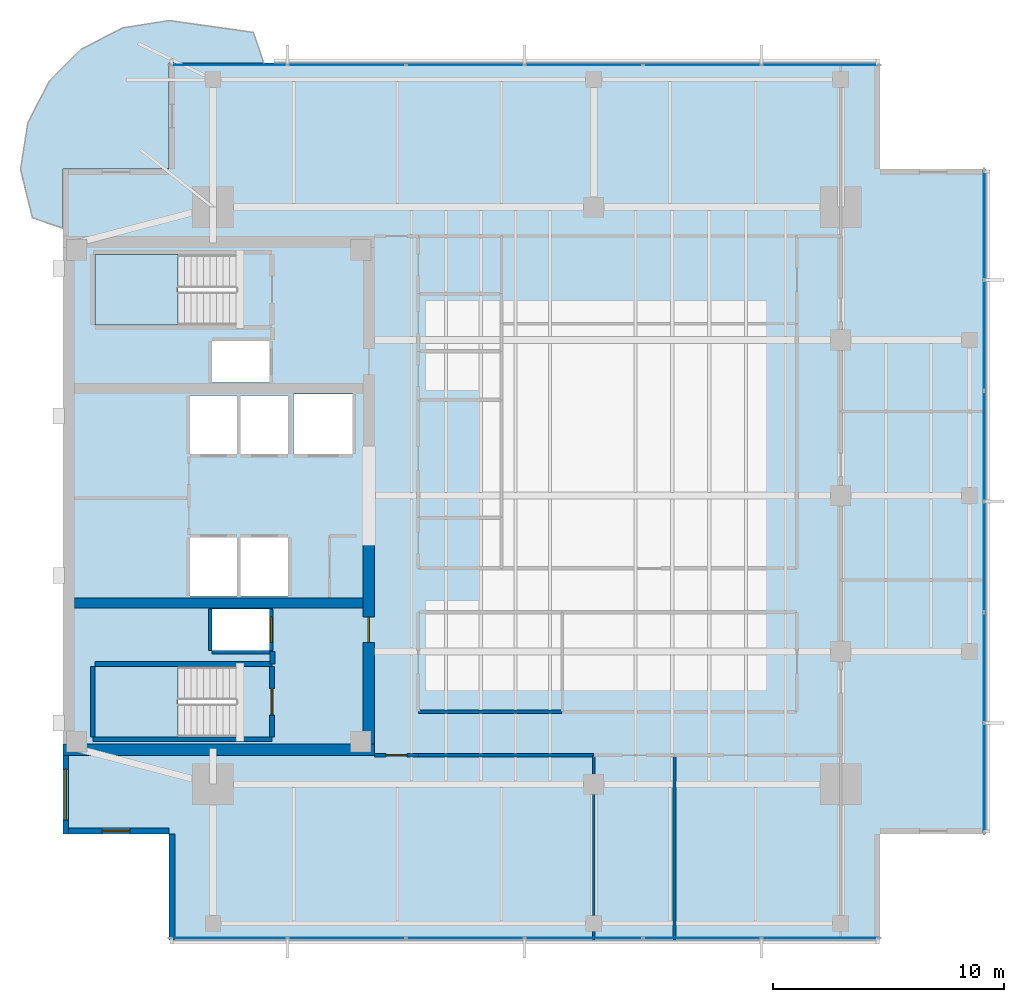
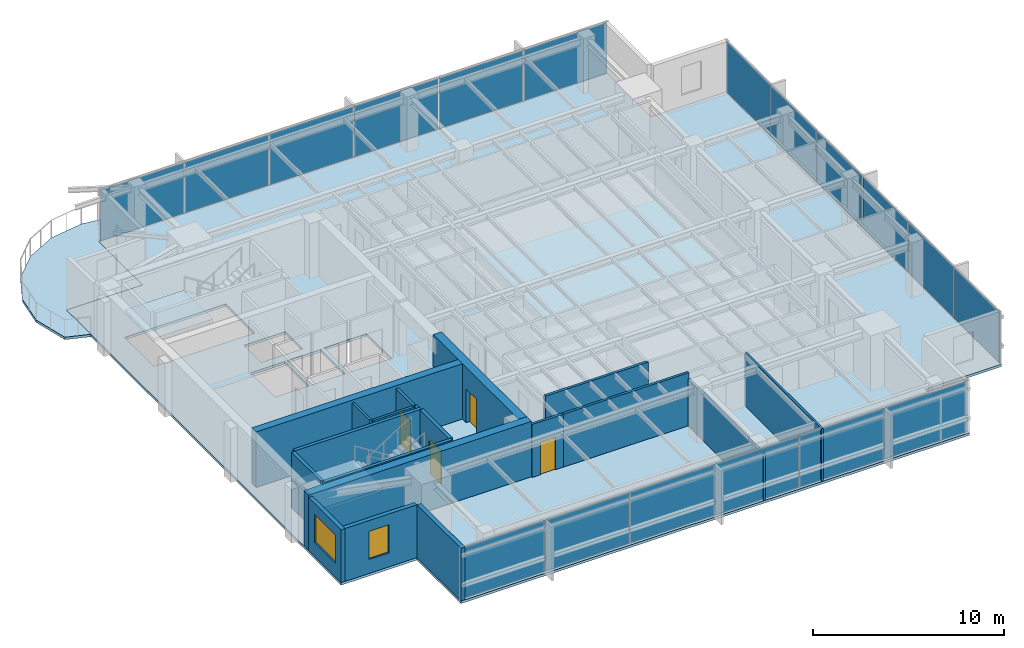
# One storey, part 7 of 14: 19 walls, 18 plates, 4 doors, 4 slabs, 2 windows, 6 openings, 5 elements without a shape of their own.
"""IFC4 building model written with IfcOpenShell, lengths in metres."""

from ifc_helpers import new_model, si_unit, direction, frame, frame_2d, origin, origin_2d, place, context, subcontext, project, spatial, polyline, rectangle, outline, extrude, material, layer, layer_set, type_object, element, fill, aggregate, save


model = new_model("IFC4")

# Units and contexts
model_context = context("Model", 3, precision=1e-05, world=origin(), true_north=direction((0.0, 1.0)))
body_context = subcontext(model_context, "Body", "Model", "MODEL_VIEW")
ifc_project = project(units=[si_unit("LENGTHUNIT", "METRE"), si_unit("AREAUNIT", "SQUARE_METRE"), si_unit("VOLUMEUNIT", "CUBIC_METRE"), si_unit("PLANEANGLEUNIT", "RADIAN"), si_unit("MASSUNIT", "GRAM", prefix="KILO")], contexts=[model_context])

# Site, building, storey
site_placement = place(None, origin())
site = spatial("IfcSite", under=ifc_project, at=site_placement, CompositionType="ELEMENT")
building_placement = place(site_placement, origin())
building = spatial("IfcBuilding", under=site, at=building_placement, Name="Kinhvarn Gate Tower", CompositionType="ELEMENT")
storey_placement = place(building_placement, frame((0.0, 0.0, 274.10009765625)))
storey = spatial("IfcBuildingStorey", under=building, at=storey_placement, Name="L73", CompositionType="ELEMENT", Elevation=274.10009765625)

# Curtain wall, plates
ifc_material_1 = material(Name="Anodised aluminium AW-6063", Category="aluminium")
ifc_layer_1 = layer(ifc_material_1, 0.179931640625)
ifc_layer_set_1 = layer_set([ifc_layer_1], Name="Anodised aluminium AW-6063")
curtain_wall_type = type_object("IfcCurtainWallType", Name="CW-SYS-3", PredefinedType="NOTDEFINED", material=ifc_layer_set_1)
curtain_wall_1_placement = place(storey_placement, origin())
curtain_wall_1 = element("IfcCurtainWall", 1, at=curtain_wall_1_placement, inside=storey, type_object=curtain_wall_type, Name="Curtain Wall CW3 (L73)", PredefinedType="NOTDEFINED")
ifc_material_2 = material(Name="Clear low-e double glazing", Category="glass")
ifc_layer_2 = layer(ifc_material_2, 0.031982421875)
ifc_layer_set_2 = layer_set([ifc_layer_2], Name="Clear low-e double glazing")
plate_type = type_object("IfcPlateType", Name="CW-PNL-VIS", PredefinedType="CURTAIN_PANEL", material=ifc_layer_set_2)
plate_1_placement = place(storey_placement, frame((11.682861328125, 6.090087890625, 0.06982421875), z_axis=(0.0, 0.0, 1.0), x_axis=(1.0, 0.0, 0.0)))
plate_1 = element("IfcPlate", 2, at=plate_1_placement, type_object=plate_type, Name="CW3 panel 1.1", PredefinedType="CURTAIN_PANEL", context=body_context, shape_type="SweptSolid", body=[
    extrude(rectangle(XDim=5.035888671875, YDim=0.031982421875, at=origin_2d()), origin(), (0.0, 0.0, 1.0), 3.25),
])
plate_2_placement = place(storey_placement, frame((16.800048828125, 6.090087890625, 0.06982421875), z_axis=(0.0, 0.0, 1.0), x_axis=(1.0, 0.0, 0.0)))
plate_2 = element("IfcPlate", 3, at=plate_2_placement, type_object=plate_type, Name="CW3 panel 2.1", PredefinedType="CURTAIN_PANEL", context=body_context, shape_type="SweptSolid", body=[
    extrude(rectangle(XDim=5.068359375, YDim=0.031982421875, at=origin_2d()), origin(), (0.0, 0.0, 1.0), 3.25),
])
plate_3_placement = place(storey_placement, frame((21.933349609375, 6.090087890625, 0.06982421875), z_axis=(0.0, 0.0, 1.0), x_axis=(1.0, 0.0, 0.0)))
plate_3 = element("IfcPlate", 4, at=plate_3_placement, type_object=plate_type, Name="CW3 panel 3.1", PredefinedType="CURTAIN_PANEL", context=body_context, shape_type="SweptSolid", body=[
    extrude(rectangle(XDim=5.068359375, YDim=0.031982421875, at=origin_2d()), origin(), (0.0, 0.0, 1.0), 3.25),
])
plate_4_placement = place(storey_placement, frame((27.066650390625, 6.090087890625, 0.06982421875), z_axis=(0.0, 0.0, 1.0), x_axis=(1.0, 0.0, 0.0)))
plate_4 = element("IfcPlate", 5, at=plate_4_placement, type_object=plate_type, Name="CW3 panel 4.1", PredefinedType="CURTAIN_PANEL", context=body_context, shape_type="SweptSolid", body=[
    extrude(rectangle(XDim=5.068359375, YDim=0.031982421875, at=origin_2d()), origin(), (0.0, 0.0, 1.0), 3.25),
])
plate_5_placement = place(storey_placement, frame((32.199951171875, 6.090087890625, 0.06982421875), z_axis=(0.0, 0.0, 1.0), x_axis=(1.0, 0.0, 0.0)))
plate_5 = element("IfcPlate", 6, at=plate_5_placement, type_object=plate_type, Name="CW3 panel 5.1", PredefinedType="CURTAIN_PANEL", context=body_context, shape_type="SweptSolid", body=[
    extrude(rectangle(XDim=5.068359375, YDim=0.031982421875, at=origin_2d()), origin(), (0.0, 0.0, 1.0), 3.25),
])
plate_6_placement = place(storey_placement, frame((37.317138671875, 6.090087890625, 0.06982421875), z_axis=(0.0, 0.0, 1.0), x_axis=(1.0, 0.0, 0.0)))
plate_6 = element("IfcPlate", 7, at=plate_6_placement, type_object=plate_type, Name="CW3 panel 6.1", PredefinedType="CURTAIN_PANEL", context=body_context, shape_type="SweptSolid", body=[
    extrude(rectangle(XDim=5.035888671875, YDim=0.031982421875, at=origin_2d()), origin(), (0.0, 0.0, 1.0), 3.25),
])
aggregate(curtain_wall_1, [plate_1, plate_2, plate_3, plate_4, plate_5, plate_6])

curtain_wall_2_placement = place(storey_placement, origin())
curtain_wall_2 = element("IfcCurtainWall", 8, at=curtain_wall_2_placement, inside=storey, type_object=curtain_wall_type, Name="Curtain Wall CW3 (L73)", PredefinedType="NOTDEFINED")
plate_7_placement = place(storey_placement, frame((37.317138671875, 43.909912109375, 0.06982421875), z_axis=(0.0, 0.0, 1.0), x_axis=(-1.0, 0.0, 0.0)))
plate_7 = element("IfcPlate", 9, at=plate_7_placement, type_object=plate_type, Name="CW3 panel 1.1", PredefinedType="CURTAIN_PANEL", context=body_context, shape_type="SweptSolid", body=[
    extrude(rectangle(XDim=5.035888671875, YDim=0.031982421875, at=origin_2d()), origin(), (0.0, 0.0, 1.0), 3.25),
])
plate_8_placement = place(storey_placement, frame((32.199951171875, 43.909912109375, 0.06982421875), z_axis=(0.0, 0.0, 1.0), x_axis=(-1.0, 0.0, 0.0)))
plate_8 = element("IfcPlate", 10, at=plate_8_placement, type_object=plate_type, Name="CW3 panel 2.1", PredefinedType="CURTAIN_PANEL", context=body_context, shape_type="SweptSolid", body=[
    extrude(rectangle(XDim=5.068359375, YDim=0.031982421875, at=origin_2d()), origin(), (0.0, 0.0, 1.0), 3.25),
])
plate_9_placement = place(storey_placement, frame((27.066650390625, 43.909912109375, 0.06982421875), z_axis=(0.0, 0.0, 1.0), x_axis=(-1.0, 0.0, 0.0)))
plate_9 = element("IfcPlate", 11, at=plate_9_placement, type_object=plate_type, Name="CW3 panel 3.1", PredefinedType="CURTAIN_PANEL", context=body_context, shape_type="SweptSolid", body=[
    extrude(rectangle(XDim=5.068359375, YDim=0.031982421875, at=origin_2d()), origin(), (0.0, 0.0, 1.0), 3.25),
])
plate_10_placement = place(storey_placement, frame((21.933349609375, 43.909912109375, 0.06982421875), z_axis=(0.0, 0.0, 1.0), x_axis=(-1.0, 0.0, 0.0)))
plate_10 = element("IfcPlate", 12, at=plate_10_placement, type_object=plate_type, Name="CW3 panel 4.1", PredefinedType="CURTAIN_PANEL", context=body_context, shape_type="SweptSolid", body=[
    extrude(rectangle(XDim=5.068359375, YDim=0.031982421875, at=origin_2d()), origin(), (0.0, 0.0, 1.0), 3.25),
])
plate_11_placement = place(storey_placement, frame((16.800048828125, 43.909912109375, 0.06982421875), z_axis=(0.0, 0.0, 1.0), x_axis=(-1.0, 0.0, 0.0)))
plate_11 = element("IfcPlate", 13, at=plate_11_placement, type_object=plate_type, Name="CW3 panel 5.1", PredefinedType="CURTAIN_PANEL", context=body_context, shape_type="SweptSolid", body=[
    extrude(rectangle(XDim=5.068359375, YDim=0.031982421875, at=origin_2d()), origin(), (0.0, 0.0, 1.0), 3.25),
])
plate_12_placement = place(storey_placement, frame((11.682861328125, 43.909912109375, 0.06982421875), z_axis=(0.0, 0.0, 1.0), x_axis=(-1.0, 0.0, 0.0)))
plate_12 = element("IfcPlate", 14, at=plate_12_placement, type_object=plate_type, Name="CW3 panel 6.1", PredefinedType="CURTAIN_PANEL", context=body_context, shape_type="SweptSolid", body=[
    extrude(rectangle(XDim=5.035888671875, YDim=0.031982421875, at=origin_2d()), origin(), (0.0, 0.0, 1.0), 3.25),
])
aggregate(curtain_wall_2, [plate_7, plate_8, plate_9, plate_10, plate_11, plate_12])

curtain_wall_3_placement = place(storey_placement, origin())
curtain_wall_3 = element("IfcCurtainWall", 15, at=curtain_wall_3_placement, inside=storey, type_object=curtain_wall_type, Name="Curtain Wall CW3 (L73)", PredefinedType="NOTDEFINED")
plate_13_placement = place(storey_placement, frame((44.409912109375, 13.016357421875, 0.06982421875), z_axis=(0.0, 0.0, 1.0), x_axis=(0.0, 1.0, 0.0)))
plate_13 = element("IfcPlate", 16, at=plate_13_placement, type_object=plate_type, Name="CW3 panel 1.1", PredefinedType="CURTAIN_PANEL", context=body_context, shape_type="SweptSolid", body=[
    extrude(rectangle(XDim=4.702392578125, YDim=0.031982421875, at=origin_2d()), origin(), (0.0, 0.0, 1.0), 3.25),
])
plate_14_placement = place(storey_placement, frame((44.409912109375, 17.800048828125, 0.06982421875), z_axis=(0.0, 0.0, 1.0), x_axis=(0.0, 1.0, 0.0)))
plate_14 = element("IfcPlate", 17, at=plate_14_placement, type_object=plate_type, Name="CW3 panel 2.1", PredefinedType="CURTAIN_PANEL", context=body_context, shape_type="SweptSolid", body=[
    extrude(rectangle(XDim=4.735107421875, YDim=0.031982421875, at=origin_2d()), origin(), (0.0, 0.0, 1.0), 3.25),
])
plate_15_placement = place(storey_placement, frame((44.409912109375, 22.60009765625, 0.06982421875), z_axis=(0.0, 0.0, 1.0), x_axis=(0.0, 1.0, 0.0)))
plate_15 = element("IfcPlate", 18, at=plate_15_placement, type_object=plate_type, Name="CW3 panel 3.1", PredefinedType="CURTAIN_PANEL", context=body_context, shape_type="SweptSolid", body=[
    extrude(rectangle(XDim=4.735107421875, YDim=0.031982421875, at=origin_2d()), origin(), (0.0, 0.0, 1.0), 3.25),
])
plate_16_placement = place(storey_placement, frame((44.409912109375, 27.39990234375, 0.06982421875), z_axis=(0.0, 0.0, 1.0), x_axis=(0.0, 1.0, 0.0)))
plate_16 = element("IfcPlate", 19, at=plate_16_placement, type_object=plate_type, Name="CW3 panel 4.1", PredefinedType="CURTAIN_PANEL", context=body_context, shape_type="SweptSolid", body=[
    extrude(rectangle(XDim=4.735107421875, YDim=0.031982421875, at=origin_2d()), origin(), (0.0, 0.0, 1.0), 3.25),
])
plate_17_placement = place(storey_placement, frame((44.409912109375, 32.199951171875, 0.06982421875), z_axis=(0.0, 0.0, 1.0), x_axis=(0.0, 1.0, 0.0)))
plate_17 = element("IfcPlate", 20, at=plate_17_placement, type_object=plate_type, Name="CW3 panel 5.1", PredefinedType="CURTAIN_PANEL", context=body_context, shape_type="SweptSolid", body=[
    extrude(rectangle(XDim=4.735107421875, YDim=0.031982421875, at=origin_2d()), origin(), (0.0, 0.0, 1.0), 3.25),
])
plate_18_placement = place(storey_placement, frame((44.409912109375, 36.983642578125, 0.06982421875), z_axis=(0.0, 0.0, 1.0), x_axis=(0.0, 1.0, 0.0)))
plate_18 = element("IfcPlate", 21, at=plate_18_placement, type_object=plate_type, Name="CW3 panel 6.1", PredefinedType="CURTAIN_PANEL", context=body_context, shape_type="SweptSolid", body=[
    extrude(rectangle(XDim=4.702392578125, YDim=0.031982421875, at=origin_2d()), origin(), (0.0, 0.0, 1.0), 3.25),
])
aggregate(curtain_wall_3, [plate_13, plate_14, plate_15, plate_16, plate_17, plate_18])

# Slabs
ifc_material_3 = material(Name="Precast white architectural concrete C40/50", Category="concrete")
ifc_layer_3 = layer(ifc_material_3, 0.159912109375)
ifc_layer_set_3 = layer_set([ifc_layer_3], Name="Precast white architectural concrete C40/50")
slab_type_1 = type_object("IfcSlabType", Name="SLB-BAL-160", PredefinedType="FLOOR", material=ifc_layer_set_3)
slab_1_placement = place(storey_placement, frame((0.0, 0.0, -0.16015625)))
element("IfcSlab", 22, at=slab_1_placement, inside=storey, type_object=slab_type_1, Name="S-Carve Curved Terrace Balcony Slab L73 (NW)", PredefinedType="FLOOR", context=body_context, shape_type="SweptSolid", body=[
    extrude(outline(polyline([(13.202880859375, 44.0), (12.7529296875, 45.3212890625), (9.10009765625, 45.8349609375), (7.111572265625, 45.52001953125), (5.317626953125, 44.60595703125), (3.89404296875, 43.182373046875), (2.97998046875, 41.388427734375), (2.6650390625, 39.39990234375), (3.1787109375, 37.2900390625), (4.5, 36.840087890625), (4.5, 39.39990234375), (9.10009765625, 39.39990234375), (9.10009765625, 44.0), (13.202880859375, 44.0)])), origin(), (0.0, 0.0, 1.0), 0.16015625),
])
ifc_material_4 = material(Name="Concrete C40/50", Category="concrete")
ifc_layer_4 = layer(ifc_material_4, 0.159912109375)
ifc_layer_set_4 = layer_set([ifc_layer_4], Name="Concrete C40/50")
slab_type_2 = type_object("IfcSlabType", Name="SLB-FLR-160", PredefinedType="FLOOR", material=ifc_layer_set_4)
slab_2_placement = place(storey_placement, frame((0.0, 0.0, -0.16015625)))
element("IfcSlab", 23, at=slab_2_placement, inside=storey, type_object=slab_type_2, Name="Suspended Floor Slab L73", PredefinedType="FLOOR", context=body_context, shape_type="SweptSolid", body=[
    extrude(outline(polyline([(9.10009765625, 6.0), (39.89990234375, 6.0), (39.89990234375, 10.60009765625), (44.5, 10.60009765625), (44.5, 39.39990234375), (39.89990234375, 39.39990234375), (39.89990234375, 44.0), (9.10009765625, 44.0), (9.10009765625, 39.39990234375), (4.5, 39.39990234375), (4.5, 10.60009765625), (9.10009765625, 10.60009765625), (9.10009765625, 6.0)]), holes=[polyline([(5.89990234375, 14.800048828125), (12.0, 14.800048828125), (12.0, 17.85009765625), (5.89990234375, 17.85009765625), (5.89990234375, 14.800048828125)]), polyline([(5.89990234375, 32.64990234375), (12.0, 32.64990234375), (12.0, 35.699951171875), (5.89990234375, 35.699951171875), (5.89990234375, 32.64990234375)]), polyline([(10.0, 20.89990234375), (12.050048828125, 20.89990234375), (12.050048828125, 23.449951171875), (10.0, 23.449951171875), (10.0, 20.89990234375)]), polyline([(12.199951171875, 20.89990234375), (14.25, 20.89990234375), (14.25, 23.449951171875), (12.199951171875, 23.449951171875), (12.199951171875, 20.89990234375)]), polyline([(10.0, 27.050048828125), (12.050048828125, 27.050048828125), (12.050048828125, 29.60009765625), (10.0, 29.60009765625), (10.0, 27.050048828125)]), polyline([(12.199951171875, 27.050048828125), (14.25, 27.050048828125), (14.25, 29.60009765625), (12.199951171875, 29.60009765625), (12.199951171875, 27.050048828125)]), polyline([(14.5, 27.050048828125), (17.050048828125, 27.050048828125), (17.050048828125, 29.64990234375), (14.5, 29.64990234375), (14.5, 27.050048828125)]), polyline([(10.949951171875, 18.550048828125), (13.449951171875, 18.550048828125), (13.449951171875, 20.35009765625), (10.949951171875, 20.35009765625), (10.949951171875, 18.550048828125)]), polyline([(10.949951171875, 30.14990234375), (13.449951171875, 30.14990234375), (13.449951171875, 31.949951171875), (10.949951171875, 31.949951171875), (10.949951171875, 30.14990234375)])]), origin(), (0.0, 0.0, 1.0), 0.16015625),
])

# Stair, slab
stair_type = type_object("IfcStairType", Name="STR-DLG-177", PredefinedType="HALF_TURN_STAIR", material=ifc_material_4)
stair_1_placement = place(storey_placement, origin())
stair_1 = element("IfcStair", 24, at=stair_1_placement, inside=storey, type_object=stair_type, Name="L73 Core Smokeproof Exit Stair ST1", PredefinedType="HALF_TURN_STAIR")
ifc_layer_5 = layer(ifc_material_4, 0.199951171875)
ifc_layer_set_5 = layer_set([ifc_layer_5], Name="Concrete C40/50")
slab_type_3 = type_object("IfcSlabType", Name="SLB-ST-LND", PredefinedType="LANDING", material=ifc_layer_set_5)
slab_3_placement = place(storey_placement, frame((0.0, 0.0, 1.574951171875)))
slab_3 = element("IfcSlab", 25, at=slab_3_placement, type_object=slab_type_3, Name="ST1 landing 1", PredefinedType="LANDING", context=body_context, shape_type="SweptSolid", body=[
    extrude(outline(polyline([(9.47998046875, 17.85009765625), (5.89990234375, 17.85009765625), (5.89990234375, 14.800048828125), (9.47998046875, 14.800048828125), (9.47998046875, 17.85009765625)])), origin(), (0.0, 0.0, 1.0), 0.199951171875),
])
aggregate(stair_1, [slab_3])

stair_2_placement = place(storey_placement, origin())
stair_2 = element("IfcStair", 26, at=stair_2_placement, inside=storey, type_object=stair_type, Name="L73 Core Smokeproof Exit Stair ST2", PredefinedType="HALF_TURN_STAIR")
slab_4_placement = place(storey_placement, frame((0.0, 0.0, 1.574951171875)))
slab_4 = element("IfcSlab", 27, at=slab_4_placement, type_object=slab_type_3, Name="ST2 landing 1", PredefinedType="LANDING", context=body_context, shape_type="SweptSolid", body=[
    extrude(outline(polyline([(9.47998046875, 35.699951171875), (5.89990234375, 35.699951171875), (5.89990234375, 32.64990234375), (9.47998046875, 32.64990234375), (9.47998046875, 35.699951171875)])), origin(), (0.0, 0.0, 1.0), 0.199951171875),
])
aggregate(stair_2, [slab_4])

# Walls
ifc_material_5 = material(Name="Concrete C50/60", Category="concrete")
ifc_layer_6 = layer(ifc_material_5, 0.449951171875)
ifc_layer_set_6 = layer_set([ifc_layer_6], Name="Concrete C50/60")
wall_type_1 = type_object("IfcWallType", Name="WL-CORE-450", PredefinedType="SHEAR", material=ifc_layer_set_6)
wall_1_placement = place(storey_placement, frame((5.0, 20.60009765625, 0.0), z_axis=(0.0, 0.0, 1.0), x_axis=(1.0, 0.0, 0.0)))
element("IfcWall", 28, at=wall_1_placement, inside=storey, type_object=wall_type_1, Name="Core South Spine Shear Wall L73 450 mm", PredefinedType="SHEAR", context=body_context, shape_type="SweptSolid", body=[
    extrude(rectangle(XDim=12.5, YDim=0.449951171875, at=frame_2d((6.25, 0.0))), origin(), (0.0, 0.0, 1.0), 3.5498046875),
])
ifc_layer_7 = layer(ifc_material_5, 0.5)
ifc_layer_set_7 = layer_set([ifc_layer_7], Name="Concrete C50/60")
wall_type_2 = type_object("IfcWallType", Name="WL-CORE-500", PredefinedType="SHEAR", material=ifc_layer_set_7)
wall_2_placement = place(storey_placement, frame((4.5, 14.25, 0.0), z_axis=(0.0, 0.0, 1.0), x_axis=(1.0, 0.0, 0.0)))
element("IfcWall", 29, at=wall_2_placement, inside=storey, type_object=wall_type_2, Name="Core South Shear Wall L73 500 mm", PredefinedType="SHEAR", context=body_context, shape_type="SweptSolid", body=[
    extrude(rectangle(XDim=13.5, YDim=0.5, at=frame_2d((6.75, 0.0))), origin(), (0.0, 0.0, 1.0), 3.5498046875),
])

# Wall, opening, door
wall_3_placement = place(storey_placement, frame((17.75, 14.5, 0.0), z_axis=(0.0, 0.0, 1.0), x_axis=(0.0, 1.0, 0.0)))
wall_3 = element("IfcWall", 30, at=wall_3_placement, inside=storey, type_object=wall_type_2, Name="Core East-South Shear Pier L73 500 mm", PredefinedType="SHEAR", context=body_context, shape_type="SweptSolid", body=[
    extrude(rectangle(XDim=8.949951171875, YDim=0.5, at=frame_2d((4.47509765625, 0.0))), origin(), (0.0, 0.0, 1.0), 3.5498046875),
])
opening_1_placement = place(wall_3_placement, frame((4.39990234375, 0.0, 0.0)))
opening_1 = element("IfcOpeningElement", 31, at=opening_1_placement, cuts=wall_3, Name="Opening FD-02", PredefinedType="OPENING", context=body_context, shape_type="SweptSolid", body=[
    extrude(rectangle(XDim=1.10009765625, YDim=2.14990234375, at=frame_2d((0.550048828125, 1.074951171875))), frame((0.0, 0.260009765625, 0.0), z_axis=(0.0, -1.0, 0.0), x_axis=(1.0, 0.0, 0.0)), (0.0, 0.0, 1.0), 0.52001953125),
])
door_type_1 = type_object("IfcDoorType", Name="DR-FD-1100", OperationType="NOTDEFINED", PredefinedType="DOOR", material=ifc_material_1)
door_1_placement = place(opening_1_placement, origin())
door_1 = element("IfcDoor", 32, at=door_1_placement, inside=storey, type_object=door_type_1, Name="Firefighting Lobby Core Door (L73)", OperationType="SINGLE_SWING_RIGHT", OverallHeight=2.14990234375, OverallWidth=1.10009765625, PredefinedType="DOOR", context=body_context, shape_type="SweptSolid", body=[
    extrude(rectangle(XDim=1.10009765625, YDim=2.14990234375, at=frame_2d((0.550048828125, 1.074951171875))), frame((0.0, 0.02490234375, 0.0), z_axis=(0.0, -1.0, 0.0), x_axis=(1.0, 0.0, 0.0)), (0.0, 0.0, 1.0), 0.050048828125),
])
fill(opening_1, door_1)

# Wall, opening, window
ifc_material_6 = material(Name="Fired architectural terracotta", Category="masonry")
ifc_layer_8 = layer(ifc_material_6, 0.25)
ifc_layer_set_8 = layer_set([ifc_layer_8], Name="Fired architectural terracotta")
wall_type_3 = type_object("IfcWallType", Name="WL-EXT-250", PredefinedType="SOLIDWALL", material=ifc_layer_set_8)
wall_4_placement = place(storey_placement, frame((4.625, 14.0, 0.0), z_axis=(0.0, 0.0, 1.0), x_axis=(0.0, -1.0, 0.0)))
wall_4 = element("IfcWall", 33, at=wall_4_placement, inside=storey, type_object=wall_type_3, Name="Exterior Solidwall Wall EW-250 (L73 West-South)", PredefinedType="SOLIDWALL", context=body_context, shape_type="SweptSolid", body=[
    extrude(rectangle(XDim=3.39990234375, YDim=0.25, at=frame_2d((1.699951171875, 0.0))), origin(), (0.0, 0.0, 1.0), 3.389892578125),
])
opening_2_placement = place(wall_4_placement, frame((0.60009765625, 0.0, 0.89990234375)))
opening_2 = element("IfcOpeningElement", 34, at=opening_2_placement, cuts=wall_4, Name="Opening WN-01", PredefinedType="OPENING", context=body_context, shape_type="SweptSolid", body=[
    extrude(rectangle(XDim=2.199951171875, YDim=1.800048828125, at=frame_2d((1.10009765625, 0.89990234375))), frame((0.0, 0.135009765625, 0.0), z_axis=(0.0, -1.0, 0.0), x_axis=(1.0, 0.0, 0.0)), (0.0, 0.0, 1.0), 0.27001953125),
])
window_type_1 = type_object("IfcWindowType", Name="WIN-RIB-2200", PartitioningType="SINGLE_PANEL", PredefinedType="WINDOW", material=ifc_material_2)
window_1_placement = place(opening_2_placement, origin())
window_1 = element("IfcWindow", 35, at=window_1_placement, inside=storey, type_object=window_type_1, Name="West Flank Double-Glazed Ribbon Window 2200x1800 mm (L73)", OverallHeight=1.800048828125, OverallWidth=2.199951171875, PartitioningType="SINGLE_PANEL", PredefinedType="WINDOW", context=body_context, shape_type="SweptSolid", body=[
    extrude(rectangle(XDim=2.199951171875, YDim=1.800048828125, at=frame_2d((1.10009765625, 0.89990234375))), frame((0.0, 0.030029296875, 0.0), z_axis=(0.0, -1.0, 0.0), x_axis=(1.0, 0.0, 0.0)), (0.0, 0.0, 1.0), 0.06005859375),
])
fill(opening_2, window_1)

wall_5_placement = place(storey_placement, frame((4.5, 10.72509765625, 0.0), z_axis=(0.0, 0.0, 1.0), x_axis=(1.0, 0.0, 0.0)))
wall_5 = element("IfcWall", 36, at=wall_5_placement, inside=storey, type_object=wall_type_3, Name="Exterior Solidwall Wall EW-250 (L73 SW-Notch-1)", PredefinedType="SOLIDWALL", context=body_context, shape_type="SweptSolid", body=[
    extrude(rectangle(XDim=4.60009765625, YDim=0.25, at=frame_2d((2.300048828125, 0.0))), origin(), (0.0, 0.0, 1.0), 3.389892578125),
])
opening_3_placement = place(wall_5_placement, frame((1.699951171875, 0.0, 0.89990234375)))
opening_3 = element("IfcOpeningElement", 37, at=opening_3_placement, cuts=wall_5, Name="Opening WN-02", PredefinedType="OPENING", context=body_context, shape_type="SweptSolid", body=[
    extrude(rectangle(XDim=1.199951171875, YDim=1.800048828125, at=frame_2d((0.60009765625, 0.89990234375))), frame((0.0, 0.135009765625, 0.0), z_axis=(0.0, -1.0, 0.0), x_axis=(1.0, 0.0, 0.0)), (0.0, 0.0, 1.0), 0.27001953125),
])
window_type_2 = type_object("IfcWindowType", Name="WIN-NTC-1200", PartitioningType="SINGLE_PANEL", PredefinedType="WINDOW", material=ifc_material_2)
window_2_placement = place(opening_3_placement, origin())
window_2 = element("IfcWindow", 38, at=window_2_placement, inside=storey, type_object=window_type_2, Name="Recessed Corner Notch Punched Window 1200x1800 mm (L73)", OverallHeight=1.800048828125, OverallWidth=1.199951171875, PartitioningType="SINGLE_PANEL", PredefinedType="WINDOW", context=body_context, shape_type="SweptSolid", body=[
    extrude(rectangle(XDim=1.199951171875, YDim=1.800048828125, at=frame_2d((0.60009765625, 0.89990234375))), frame((0.0, 0.030029296875, 0.0), z_axis=(0.0, -1.0, 0.0), x_axis=(1.0, 0.0, 0.0)), (0.0, 0.0, 1.0), 0.06005859375),
])
fill(opening_3, window_2)

# Walls
wall_6_placement = place(storey_placement, frame((9.22509765625, 10.60009765625, 0.0), z_axis=(0.0, 0.0, 1.0), x_axis=(0.0, -1.0, 0.0)))
element("IfcWall", 39, at=wall_6_placement, inside=storey, type_object=wall_type_3, Name="Exterior Solidwall Wall EW-250 (L73 SW-Notch-2)", PredefinedType="SOLIDWALL", context=body_context, shape_type="SweptSolid", body=[
    extrude(rectangle(XDim=4.60009765625, YDim=0.25, at=frame_2d((2.300048828125, 0.0))), origin(), (0.0, 0.0, 1.0), 3.389892578125),
])
ifc_material_7 = material(Name="Gypsum acoustic partition board")
ifc_layer_9 = layer(ifc_material_7, 0.1201171875)
ifc_layer_set_9 = layer_set([ifc_layer_9], Name="Gypsum acoustic partition board")
wall_type_4 = type_object("IfcWallType", Name="WL-PRT-120", PredefinedType="PARTITIONING", material=ifc_layer_set_9)
wall_7_placement = place(storey_placement, frame((27.5, 6.010009765625, 0.0), z_axis=(0.0, 0.0, 1.0), x_axis=(0.0, 1.0, 0.0)))
element("IfcWall", 40, at=wall_7_placement, inside=storey, type_object=wall_type_4, Name="Interior Partition PW-120 (L73)", PredefinedType="PARTITIONING", context=body_context, shape_type="SweptSolid", body=[
    extrude(rectangle(XDim=7.989990234375, YDim=0.1201171875, at=frame_2d((3.9951171875, 0.0))), origin(), (0.0, 0.0, 1.0), 2.989990234375),
])
wall_8_placement = place(storey_placement, frame((31.0, 6.010009765625, 0.0), z_axis=(0.0, 0.0, 1.0), x_axis=(0.0, 1.0, 0.0)))
element("IfcWall", 41, at=wall_8_placement, inside=storey, type_object=wall_type_4, Name="Interior Partition PW-120 (L73)", PredefinedType="PARTITIONING", context=body_context, shape_type="SweptSolid", body=[
    extrude(rectangle(XDim=7.989990234375, YDim=0.1201171875, at=frame_2d((3.9951171875, 0.0))), origin(), (0.0, 0.0, 1.0), 3.389892578125),
])

# Wall, opening, door
ifc_layer_10 = layer(ifc_material_7, 0.14990234375)
ifc_layer_set_10 = layer_set([ifc_layer_10], Name="Gypsum acoustic partition board")
wall_type_5 = type_object("IfcWallType", Name="WL-PRT-150F", PredefinedType="PARTITIONING", material=ifc_layer_set_10)
wall_9_placement = place(storey_placement, frame((18.0, 14.0, 0.0), z_axis=(0.0, 0.0, 1.0), x_axis=(1.0, 0.0, 0.0)))
wall_9 = element("IfcWall", 42, at=wall_9_placement, inside=storey, type_object=wall_type_5, Name="Interior Partition PW-150F (L73)", PredefinedType="PARTITIONING", context=body_context, shape_type="SweptSolid", body=[
    extrude(rectangle(XDim=1.89990234375, YDim=0.14990234375, at=frame_2d((0.949951171875, 0.0))), origin(), (0.0, 0.0, 1.0), 3.389892578125),
])
opening_4_placement = place(wall_9_placement, frame((0.5, 0.0, 0.0)))
opening_4 = element("IfcOpeningElement", 43, at=opening_4_placement, cuts=wall_9, Name="Opening ID-03", PredefinedType="OPENING", context=body_context, shape_type="SweptSolid", body=[
    extrude(rectangle(XDim=0.89990234375, YDim=2.10009765625, at=frame_2d((0.449951171875, 1.050048828125))), frame((0.0, 0.0849609375, 0.0), z_axis=(0.0, -1.0, 0.0), x_axis=(1.0, 0.0, 0.0)), (0.0, 0.0, 1.0), 0.169921875),
])
door_type_2 = type_object("IfcDoorType", Name="DR-INT-900", OperationType="NOTDEFINED", PredefinedType="DOOR", material=ifc_material_1)
door_2_placement = place(opening_4_placement, origin())
door_2 = element("IfcDoor", 44, at=door_2_placement, inside=storey, type_object=door_type_2, Name="Cellular Office & Restroom Door 900x2100 mm (L73)", OperationType="SINGLE_SWING_LEFT", OverallHeight=2.10009765625, OverallWidth=0.89990234375, PredefinedType="DOOR", context=body_context, shape_type="SweptSolid", body=[
    extrude(rectangle(XDim=0.89990234375, YDim=2.10009765625, at=frame_2d((0.449951171875, 1.050048828125))), frame((0.0, 0.02490234375, 0.0), z_axis=(0.0, -1.0, 0.0), x_axis=(1.0, 0.0, 0.0)), (0.0, 0.0, 1.0), 0.050048828125),
])
fill(opening_4, door_2)

# Walls
wall_10_placement = place(storey_placement, frame((19.89990234375, 15.89990234375, 0.0), z_axis=(0.0, 0.0, 1.0), x_axis=(1.0, 0.0, 0.0)))
element("IfcWall", 45, at=wall_10_placement, inside=storey, type_object=wall_type_5, Name="Interior Partition PW-150F (L73)", PredefinedType="PARTITIONING", context=body_context, shape_type="SweptSolid", body=[
    extrude(rectangle(XDim=6.22998046875, YDim=0.14990234375, at=frame_2d((3.114990234375, 0.0))), origin(), (0.0, 0.0, 1.0), 3.389892578125),
])
wall_11_placement = place(storey_placement, frame((19.89990234375, 14.0, 0.0), z_axis=(0.0, 0.0, 1.0), x_axis=(1.0, 0.0, 0.0)))
element("IfcWall", 46, at=wall_11_placement, inside=storey, type_object=wall_type_5, Name="Interior Partition PW-150F (L73)", PredefinedType="PARTITIONING", context=body_context, shape_type="SweptSolid", body=[
    extrude(rectangle(XDim=7.60009765625, YDim=0.14990234375, at=frame_2d((3.800048828125, 0.0))), origin(), (0.0, 0.0, 1.0), 3.389892578125),
])
ifc_layer_11 = layer(ifc_material_7, 0.199951171875)
ifc_layer_set_11 = layer_set([ifc_layer_11], Name="Gypsum acoustic partition board")
wall_type_6 = type_object("IfcWallType", Name="WL-PRT-200", PredefinedType="PARTITIONING", material=ifc_layer_set_11)
wall_12_placement = place(storey_placement, frame((13.580078125, 17.9599609375, 0.0), z_axis=(0.0, 0.0, 1.0), x_axis=(0.0, 1.0, 0.0)))
element("IfcWall", 47, at=wall_12_placement, inside=storey, type_object=wall_type_6, Name="Interior Partition PW-200 (L73)", PredefinedType="PARTITIONING", context=body_context, shape_type="SweptSolid", body=[
    extrude(rectangle(XDim=0.5400390625, YDim=0.199951171875, at=frame_2d((0.27001953125, 0.0))), origin(), (0.0, 0.0, 1.0), 3.389892578125),
])
ifc_layer_12 = layer(ifc_material_7, 0.14990234375)
ifc_layer_set_12 = layer_set([ifc_layer_12], Name="Gypsum acoustic partition board")
wall_type_7 = type_object("IfcWallType", Name="WL-SHF-150", PredefinedType="PARTITIONING", material=ifc_layer_set_12)
wall_13_placement = place(storey_placement, frame((10.949951171875, 18.47509765625, 0.0), z_axis=(0.0, 0.0, 1.0), x_axis=(1.0, 0.0, 0.0)))
element("IfcWall", 48, at=wall_13_placement, inside=storey, type_object=wall_type_7, Name="Elevator FF1 Hoistway Wall S (L73)", PredefinedType="PARTITIONING", context=body_context, shape_type="SweptSolid", body=[
    extrude(rectangle(XDim=2.5, YDim=0.14990234375, at=frame_2d((1.25, 0.0))), origin(), (0.0, 0.0, 1.0), 3.389892578125),
])
wall_14_placement = place(storey_placement, frame((10.875, 18.550048828125, 0.0), z_axis=(0.0, 0.0, 1.0), x_axis=(0.0, 1.0, 0.0)))
element("IfcWall", 49, at=wall_14_placement, inside=storey, type_object=wall_type_7, Name="Elevator FF1 Hoistway Wall W (L73)", PredefinedType="PARTITIONING", context=body_context, shape_type="SweptSolid", body=[
    extrude(rectangle(XDim=1.800048828125, YDim=0.14990234375, at=frame_2d((0.89990234375, 0.0))), origin(), (0.0, 0.0, 1.0), 3.389892578125),
])

# Wall, opening, door
wall_15_placement = place(storey_placement, frame((13.52490234375, 18.550048828125, 0.0), z_axis=(0.0, 0.0, 1.0), x_axis=(0.0, 1.0, 0.0)))
wall_15 = element("IfcWall", 50, at=wall_15_placement, inside=storey, type_object=wall_type_7, Name="Elevator FF1 Landing Wall (L73)", PredefinedType="PARTITIONING", context=body_context, shape_type="SweptSolid", body=[
    extrude(rectangle(XDim=1.800048828125, YDim=0.14990234375, at=frame_2d((0.89990234375, 0.0))), origin(), (0.0, 0.0, 1.0), 3.389892578125),
])
opening_5_placement = place(wall_15_placement, frame((0.35009765625, 0.0, 0.0)))
opening_5 = element("IfcOpeningElement", 51, at=opening_5_placement, cuts=wall_15, Name="Opening LD-03", PredefinedType="OPENING", context=body_context, shape_type="SweptSolid", body=[
    extrude(rectangle(XDim=1.10009765625, YDim=2.199951171875, at=frame_2d((0.550048828125, 1.10009765625))), frame((0.0, 0.0849609375, 0.0), z_axis=(0.0, -1.0, 0.0), x_axis=(1.0, 0.0, 0.0)), (0.0, 0.0, 1.0), 0.169921875),
])
door_type_3 = type_object("IfcDoorType", Name="DR-LND-FF", OperationType="NOTDEFINED", PredefinedType="DOOR", material=ifc_material_1)
door_3_placement = place(opening_5_placement, origin())
door_3 = element("IfcDoor", 52, at=door_3_placement, inside=storey, type_object=door_type_3, Name="Elevator FF1 Sliding Landing Door (L73)", OperationType="DOUBLE_DOOR_SLIDING", OverallHeight=2.199951171875, OverallWidth=1.10009765625, PredefinedType="DOOR", context=body_context, shape_type="SweptSolid", body=[
    extrude(rectangle(XDim=1.10009765625, YDim=2.199951171875, at=frame_2d((0.550048828125, 1.10009765625))), frame((0.0, 0.02490234375, 0.0), z_axis=(0.0, -1.0, 0.0), x_axis=(1.0, 0.0, 0.0)), (0.0, 0.0, 1.0), 0.050048828125),
])
fill(opening_5, door_3)

# Walls
ifc_layer_13 = layer(ifc_material_4, 0.199951171875)
ifc_layer_set_13 = layer_set([ifc_layer_13], Name="Concrete C40/50")
wall_type_8 = type_object("IfcWallType", Name="WL-SHF-200", PredefinedType="SOLIDWALL", material=ifc_layer_set_13)
wall_16_placement = place(storey_placement, frame((5.800048828125, 14.699951171875, 0.0), z_axis=(0.0, 0.0, 1.0), x_axis=(1.0, 0.0, 0.0)))
element("IfcWall", 53, at=wall_16_placement, inside=storey, type_object=wall_type_8, Name="Stair ST1 South Shaft Wall (L73)", PredefinedType="SOLIDWALL", context=body_context, shape_type="SweptSolid", body=[
    extrude(rectangle(XDim=7.75, YDim=0.199951171875, at=frame_2d((3.875, 0.0))), origin(), (0.0, 0.0, 1.0), 3.5498046875),
])
wall_17_placement = place(storey_placement, frame((5.7900390625, 14.800048828125, 0.0), z_axis=(0.0, 0.0, 1.0), x_axis=(0.0, 1.0, 0.0)))
element("IfcWall", 54, at=wall_17_placement, inside=storey, type_object=wall_type_8, Name="Stair ST1 West Shaft Wall (L73)", PredefinedType="SOLIDWALL", context=body_context, shape_type="SweptSolid", body=[
    extrude(rectangle(XDim=3.050048828125, YDim=0.199951171875, at=frame_2d((1.52490234375, 0.0))), origin(), (0.0, 0.0, 1.0), 3.5498046875),
])
wall_18_placement = place(storey_placement, frame((5.89990234375, 17.9599609375, 0.0), z_axis=(0.0, 0.0, 1.0), x_axis=(1.0, 0.0, 0.0)))
element("IfcWall", 55, at=wall_18_placement, inside=storey, type_object=wall_type_8, Name="Stair ST1 North Shaft Wall (L73)", PredefinedType="SOLIDWALL", context=body_context, shape_type="SweptSolid", body=[
    extrude(rectangle(XDim=7.66015625, YDim=0.199951171875, at=frame_2d((3.830078125, 0.0))), origin(), (0.0, 0.0, 1.0), 3.5498046875),
])

# Wall, opening, door
wall_19_placement = place(storey_placement, frame((13.56005859375, 14.800048828125, 0.0), z_axis=(0.0, 0.0, 1.0), x_axis=(0.0, 1.0, 0.0)))
wall_19 = element("IfcWall", 56, at=wall_19_placement, inside=storey, type_object=wall_type_8, Name="Stair ST1 East Entry Wall (L73)", PredefinedType="SOLIDWALL", context=body_context, shape_type="SweptSolid", body=[
    extrude(rectangle(XDim=3.050048828125, YDim=0.199951171875, at=frame_2d((1.52490234375, 0.0))), origin(), (0.0, 0.0, 1.0), 3.5498046875),
])
opening_6_placement = place(wall_19_placement, frame((0.949951171875, 0.0, 0.0)))
opening_6 = element("IfcOpeningElement", 57, at=opening_6_placement, cuts=wall_19, Name="Opening FD-01", PredefinedType="OPENING", context=body_context, shape_type="SweptSolid", body=[
    extrude(rectangle(XDim=1.14990234375, YDim=2.14990234375, at=frame_2d((0.574951171875, 1.074951171875))), frame((0.0, 0.10986328125, 0.0), z_axis=(0.0, -1.0, 0.0), x_axis=(1.0, 0.0, 0.0)), (0.0, 0.0, 1.0), 0.219970703125),
])
door_type_4 = type_object("IfcDoorType", Name="DR-ST-1150", OperationType="NOTDEFINED", PredefinedType="DOOR", material=ifc_material_1)
door_4_placement = place(opening_6_placement, origin())
door_4 = element("IfcDoor", 58, at=door_4_placement, inside=storey, type_object=door_type_4, Name="Exit Stair ST1 Fire Door (L73)", OperationType="SINGLE_SWING_LEFT", OverallHeight=2.14990234375, OverallWidth=1.14990234375, PredefinedType="DOOR", context=body_context, shape_type="SweptSolid", body=[
    extrude(rectangle(XDim=1.14990234375, YDim=2.14990234375, at=frame_2d((0.574951171875, 1.074951171875))), frame((0.0, 0.02490234375, 0.0), z_axis=(0.0, -1.0, 0.0), x_axis=(1.0, 0.0, 0.0)), (0.0, 0.0, 1.0), 0.050048828125),
])
fill(opening_6, door_4)

save(model, "model.ifc")
